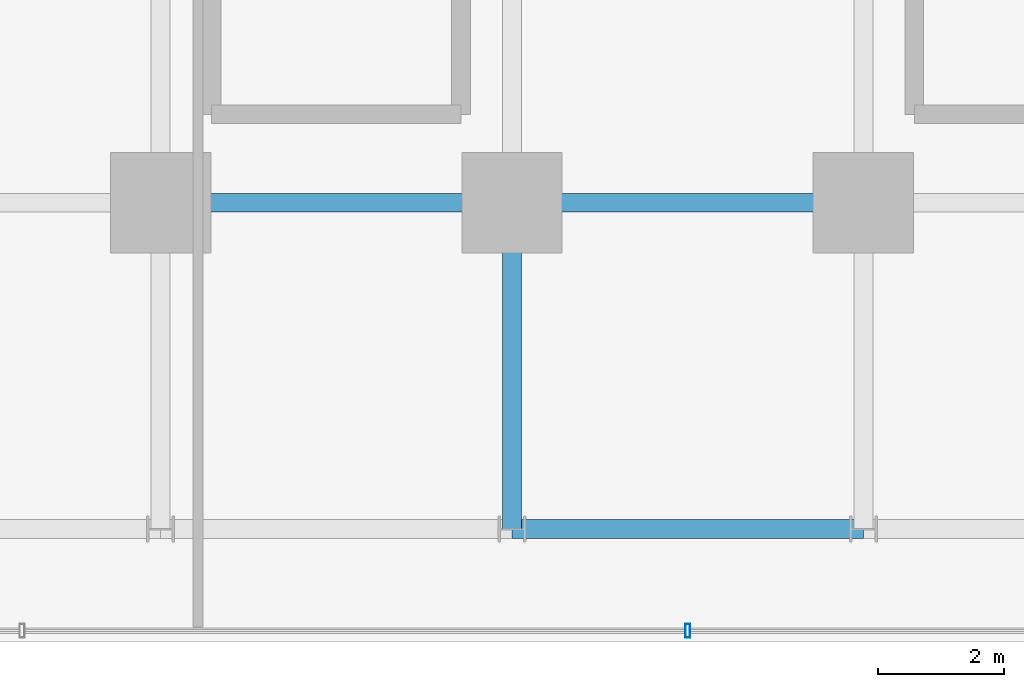
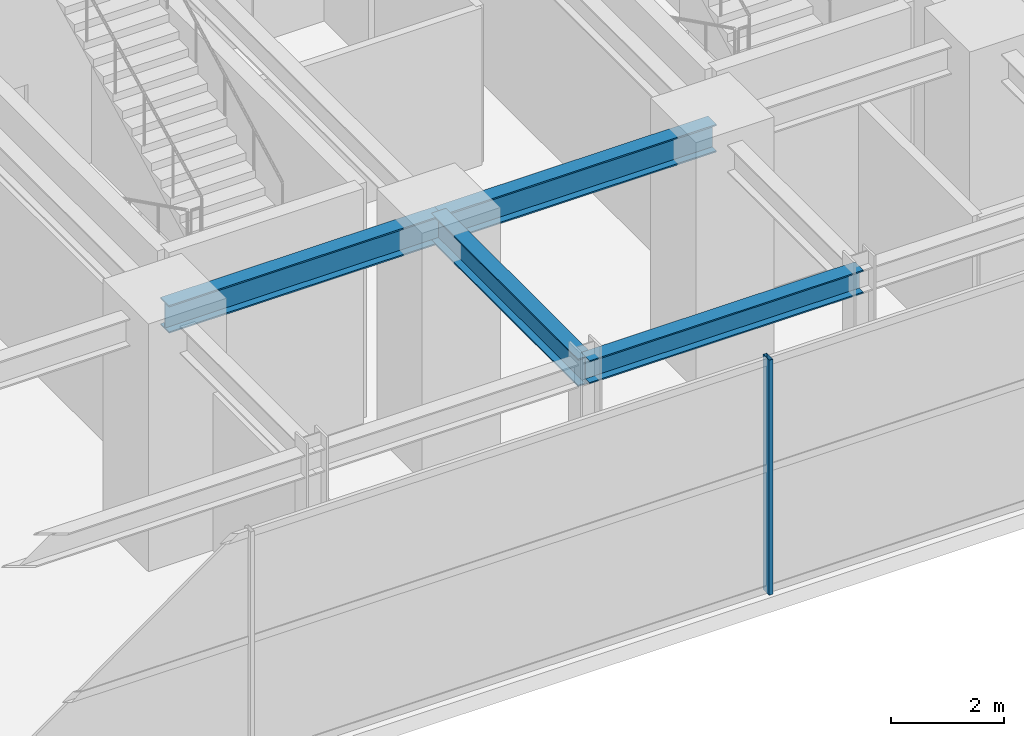
# One storey, part 10 of 32: 4 beams, 1 member, 1 element without a shape of its own.
"""IFC4 building model written with IfcOpenShell, lengths in metres."""

from ifc_helpers import new_model, si_unit, direction, frame, origin, origin_2d, place, context, subcontext, project, spatial, hollow_rectangle, i_section, extrude, source, transform, mapped, material, material_profile, profile_set, type_object, element, aggregate, save


model = new_model("IFC4")

# Units and contexts
model_context = context("Model", 3, precision=1e-05, world=origin(), true_north=direction((0.0, 1.0)))
body_context = subcontext(model_context, "Body", "Model", "MODEL_VIEW")
ifc_project = project(units=[si_unit("LENGTHUNIT", "METRE"), si_unit("AREAUNIT", "SQUARE_METRE"), si_unit("VOLUMEUNIT", "CUBIC_METRE"), si_unit("PLANEANGLEUNIT", "RADIAN"), si_unit("MASSUNIT", "GRAM", prefix="KILO")], contexts=[model_context])

# Site, building, storey
site_placement = place(None, origin())
site = spatial("IfcSite", under=ifc_project, at=site_placement, CompositionType="ELEMENT")
building_placement = place(site_placement, origin())
building = spatial("IfcBuilding", under=site, at=building_placement, Name="Nahalor Promenade Grand Hotel", CompositionType="ELEMENT")
storey_placement = place(building_placement, frame((0.0, 0.0, 5.39990234375)))
storey = spatial("IfcBuildingStorey", under=building, at=storey_placement, Name="L01", CompositionType="ELEMENT", Elevation=5.39990234375)

# Beams
ifc_material_1 = material(Name="Steel S355JR", Category="steel")
ifc_material_profile_1 = material_profile(ifc_material_1, i_section(OverallWidth=0.3, OverallDepth=0.6, WebThickness=0.0155, FlangeThickness=0.03, at=origin_2d()), Name="HEB 600")
ifc_profile_set_1 = profile_set([ifc_material_profile_1], Name="Steel S355JR")
beam_type_1 = type_object("IfcBeamType", Name="Beam-Girder-HEB600", PredefinedType="BEAM", material=ifc_profile_set_1)
shared_shape_1 = source(origin(), body_context, "Body", "SweptSolid", [
    extrude(i_section(OverallWidth=0.3, OverallDepth=0.6, WebThickness=0.0155, FlangeThickness=0.03, at=origin_2d()), origin(), (0.0, 0.0, 1.0), 5.599853515625),
])
beam_1_placement = place(storey_placement, frame((-8.39990234375, -17.0, 4.780029296875), z_axis=(1.0, 0.0, 0.0), x_axis=(0.0, 1.0, 0.0)))
element("IfcBeam", 1, at=beam_1_placement, inside=storey, type_object=beam_type_1, Name="BM-L01-GX-0-3", PredefinedType="BEAM", context=body_context, shape_type="MappedRepresentation", body=[
    mapped(shared_shape_1, transform((0.0, 0.0, 0.0), scale=1.0)),
])
shared_shape_2 = source(origin(), body_context, "Body", "SweptSolid", [
    extrude(i_section(OverallWidth=0.3, OverallDepth=0.6, WebThickness=0.0155, FlangeThickness=0.03, at=origin_2d()), origin(), (0.0, 0.0, 1.0), 5.60009765625),
])
beam_2_placement = place(storey_placement, frame((-2.800048828125, -17.0, 4.780029296875), z_axis=(1.0, 0.0, 0.0), x_axis=(0.0, 1.0, 0.0)))
element("IfcBeam", 2, at=beam_2_placement, inside=storey, type_object=beam_type_1, Name="BM-L01-GX-0-4", PredefinedType="BEAM", context=body_context, shape_type="MappedRepresentation", body=[
    mapped(shared_shape_2, transform((0.0, 0.0, 0.0), scale=1.0)),
])
shared_shape_3 = source(origin(), body_context, "Body", "SweptSolid", [
    extrude(i_section(OverallWidth=0.3, OverallDepth=0.6, WebThickness=0.0155, FlangeThickness=0.03, at=origin_2d()), origin(), (0.0, 0.0, 1.0), 5.199951171875),
])
beam_3_placement = place(storey_placement, frame((-2.800048828125, -22.199951171875, 4.780029296875), z_axis=(0.0, 1.0, 0.0), x_axis=(-1.0, 0.0, 0.0)))
element("IfcBeam", 3, at=beam_3_placement, inside=storey, type_object=beam_type_1, Name="BM-L01-GY-2-0", PredefinedType="BEAM", context=body_context, shape_type="MappedRepresentation", body=[
    mapped(shared_shape_3, transform((0.0, 0.0, 0.0), scale=1.0)),
])
ifc_material_profile_2 = material_profile(ifc_material_1, i_section(OverallWidth=0.3, OverallDepth=0.5, WebThickness=0.0145, FlangeThickness=0.028, at=origin_2d()), Name="HEB 500")
ifc_profile_set_2 = profile_set([ifc_material_profile_2], Name="Steel S355JR")
beam_type_2 = type_object("IfcBeamType", Name="Beam-Spandrel-HEB500", PredefinedType="SPANDREL", material=ifc_profile_set_2)
shared_shape_4 = source(origin(), body_context, "Body", "SweptSolid", [
    extrude(i_section(OverallWidth=0.3, OverallDepth=0.5, WebThickness=0.0145, FlangeThickness=0.028, at=origin_2d()), origin(), (0.0, 0.0, 1.0), 5.60009765625),
])
beam_4_placement = place(storey_placement, frame((-2.800048828125, -22.199951171875, 4.830078125), z_axis=(1.0, 0.0, 0.0), x_axis=(0.0, 1.0, 0.0)))
element("IfcBeam", 4, at=beam_4_placement, inside=storey, type_object=beam_type_2, Name="BM-L01-SP-S-2", PredefinedType="SPANDREL", context=body_context, shape_type="MappedRepresentation", body=[
    mapped(shared_shape_4, transform((0.0, 0.0, 0.0), scale=1.0)),
])

# Curtain wall, member
ifc_material_2 = material(Name="Anodised Bronze Aluminium EN AW-6063 T6", Category="aluminium")
curtain_wall_type = type_object("IfcCurtainWallType", Name="CW1 Waterfront Podium Bronze Arcade Curtain Wall", PredefinedType="USERDEFINED", material=ifc_material_2)
curtain_wall_placement = place(storey_placement, origin())
curtain_wall = element("IfcCurtainWall", 5, at=curtain_wall_placement, inside=storey, type_object=curtain_wall_type, Name="L01 Curtain Wall CW-L01-S", ObjectType="UNITISED_CURTAIN_WALL", PredefinedType="USERDEFINED")
ifc_material_profile_3 = material_profile(ifc_material_2, hollow_rectangle(XDim=0.08, YDim=0.22, WallThickness=0.005, at=origin_2d()), Name="CWM 80x220x5")
ifc_profile_set_3 = profile_set([ifc_material_profile_3], Name="Anodised Bronze Aluminium EN AW-6063 T6")
member_type = type_object("IfcMemberType", Name="CWM1 Podium Bronze Mullion 80x220", PredefinedType="MULLION", material=ifc_profile_set_3)
shared_shape_5 = source(origin(), body_context, "Body", "SweptSolid", [
    extrude(hollow_rectangle(XDim=0.08, YDim=0.22, WallThickness=0.005, at=origin_2d()), origin(), (0.0, 0.0, 1.0), 5.080078125),
])
member_placement = place(storey_placement, frame((0.0, -23.820068359375, 0.0), z_axis=(0.0, 0.0, 1.0), x_axis=(1.0, 0.0, 0.0)))
member = element("IfcMember", 6, at=member_placement, type_object=member_type, Name="CW-L01-S Mullion 3", PredefinedType="MULLION", context=body_context, shape_type="MappedRepresentation", body=[
    mapped(shared_shape_5, transform((0.0, 0.0, 0.0), scale=1.0)),
])
aggregate(curtain_wall, [member])

save(model, "model.ifc")
